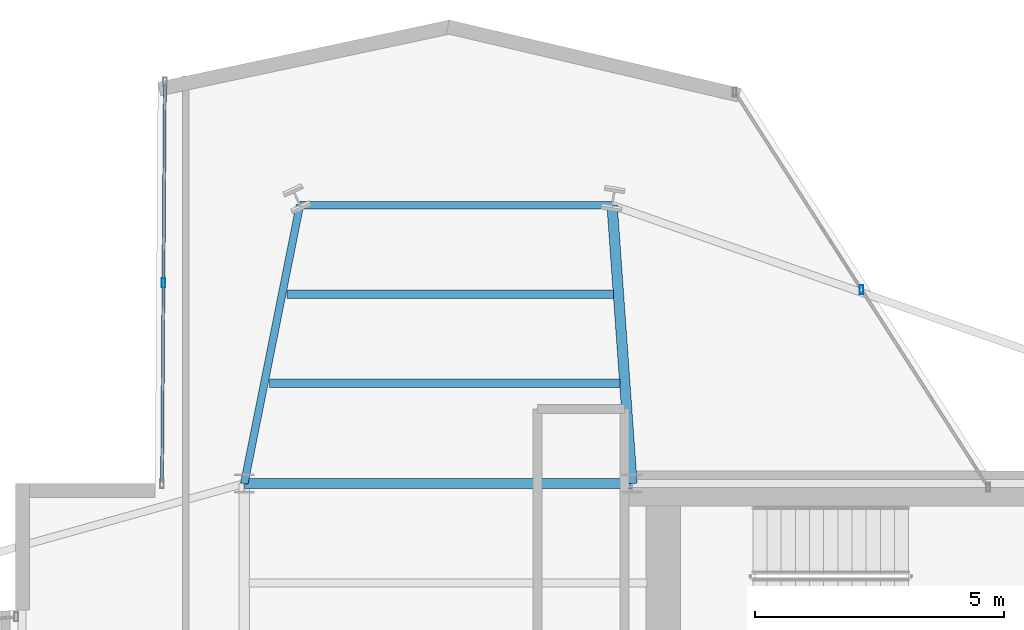
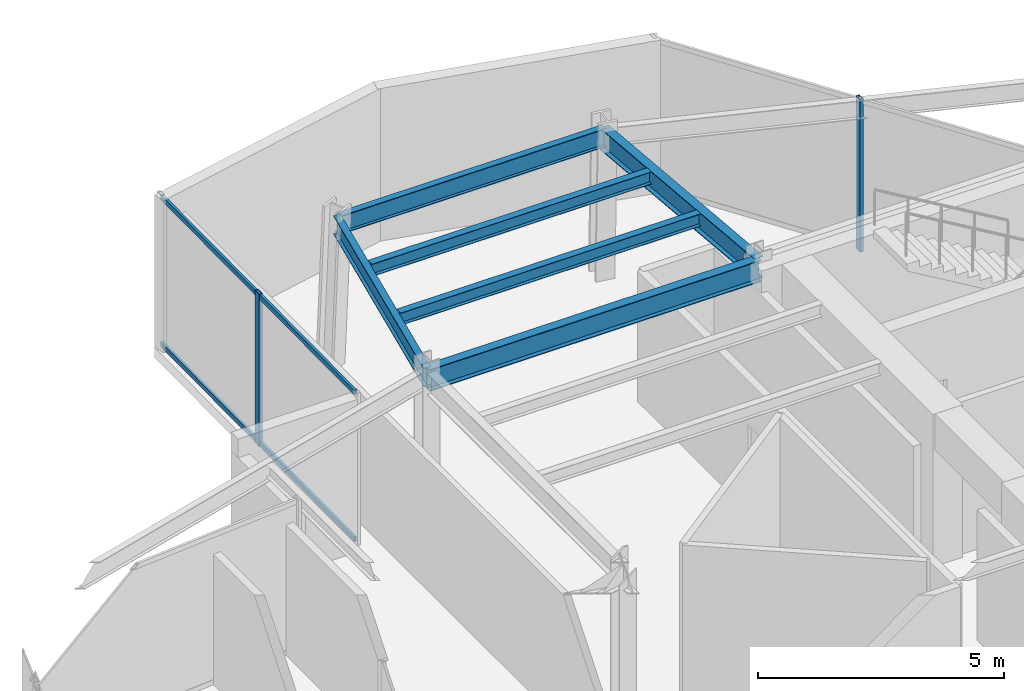
# One storey, part 12 of 23: 6 beams, 4 members, 2 elements without a shape of their own.
"""IFC4 building model written with IfcOpenShell, lengths in metres."""

from ifc_helpers import new_model, si_unit, direction, frame, origin, origin_2d, place, context, subcontext, project, spatial, hollow_rectangle, i_section, extrude, material, layer, layer_set, material_profile, profile_set, type_object, element, aggregate, save


model = new_model("IFC4")

# Units and contexts
model_context = context("Model", 3, precision=1e-05, world=origin(), true_north=direction((0.0, 1.0)))
body_context = subcontext(model_context, "Body", "Model", "MODEL_VIEW")
ifc_project = project(units=[si_unit("LENGTHUNIT", "METRE"), si_unit("AREAUNIT", "SQUARE_METRE"), si_unit("VOLUMEUNIT", "CUBIC_METRE"), si_unit("PLANEANGLEUNIT", "RADIAN"), si_unit("MASSUNIT", "GRAM", prefix="KILO")], contexts=[model_context])

# Site, building, storey
site_placement = place(None, origin())
site = spatial("IfcSite", under=ifc_project, at=site_placement, CompositionType="ELEMENT")
building_placement = place(site_placement, origin())
building = spatial("IfcBuilding", under=site, at=building_placement, Name="Veymaron Broadcast Tower", CompositionType="ELEMENT")
storey_placement = place(building_placement, frame((0.0, 0.0, 199.949951171875)))
storey = spatial("IfcBuildingStorey", under=building, at=storey_placement, Name="L46", CompositionType="ELEMENT", Elevation=199.949951171875)

# Beams
ifc_material_1 = material(Name="Structural steel ASTM A992 Gr 50", Category="steel")
ifc_material_profile_1 = material_profile(ifc_material_1, i_section(OverallWidth=0.2099609375, OverallDepth=0.537109375, WebThickness=0.010986328125, FlangeThickness=0.017333984375, at=origin_2d()), Name="W530X101")
ifc_profile_set_1 = profile_set([ifc_material_profile_1], Name="Structural steel ASTM A992 Gr 50")
beam_type_1 = type_object("IfcBeamType", Name="BM-FG3", PredefinedType="BEAM", material=ifc_profile_set_1)
beam_1_placement = place(storey_placement, frame((31.199951171875, 32.0, 3.521484375), z_axis=(1.0, 0.0, 0.0), x_axis=(0.0, 1.0, 0.0)))
element("IfcBeam", 1, at=beam_1_placement, inside=storey, type_object=beam_type_1, Name="L46 primary structural floor girder", PredefinedType="BEAM", context=body_context, shape_type="SweptSolid", body=[
    extrude(i_section(OverallWidth=0.2099609375, OverallDepth=0.537109375, WebThickness=0.010986328125, FlangeThickness=0.017333984375, at=origin_2d()), origin(), (0.0, 0.0, 1.0), 7.800048828125),
])
beam_2_placement = place(storey_placement, frame((39.0, 32.0, 3.521484375), z_axis=(-0.071228508128, 0.997460024076, 0.0), x_axis=(-0.997460024076, -0.071228508128, 0.0)))
element("IfcBeam", 2, at=beam_2_placement, inside=storey, type_object=beam_type_1, Name="L46 primary structural floor girder", PredefinedType="BEAM", context=body_context, shape_type="SweptSolid", body=[
    extrude(i_section(OverallWidth=0.2099609375, OverallDepth=0.537109375, WebThickness=0.010986328125, FlangeThickness=0.017333984375, at=origin_2d()), origin(), (0.0, 0.0, 1.0), 5.6142578125),
])
ifc_material_profile_2 = material_profile(ifc_material_1, i_section(OverallWidth=0.1650390625, OverallDepth=0.31005859375, WebThickness=0.005859375, FlangeThickness=0.009765625, at=origin_2d()), Name="W310X39")
ifc_profile_set_2 = profile_set([ifc_material_profile_2], Name="Structural steel ASTM A992 Gr 50")
beam_type_2 = type_object("IfcBeamType", Name="BM-JS3", PredefinedType="JOIST", material=ifc_profile_set_2)
beam_3_placement = place(storey_placement, frame((31.703125, 34.01611328125, 3.635009765625), z_axis=(1.0, 0.0, 0.0), x_axis=(0.0, 1.0, 0.0)))
element("IfcBeam", 3, at=beam_3_placement, inside=storey, type_object=beam_type_2, Name="L46 Arm-B secondary joist 1", PredefinedType="JOIST", context=body_context, shape_type="SweptSolid", body=[
    extrude(i_section(OverallWidth=0.1650390625, OverallDepth=0.31005859375, WebThickness=0.005859375, FlangeThickness=0.009765625, at=origin_2d()), origin(), (0.0, 0.0, 1.0), 7.052978515625),
])
beam_4_placement = place(storey_placement, frame((32.0615234375, 35.80810546875, 3.635009765625), z_axis=(1.0, 0.0, 0.0), x_axis=(0.0, 1.0, 0.0)))
element("IfcBeam", 4, at=beam_4_placement, inside=storey, type_object=beam_type_2, Name="L46 Arm-B secondary joist 2", PredefinedType="JOIST", context=body_context, shape_type="SweptSolid", body=[
    extrude(i_section(OverallWidth=0.1650390625, OverallDepth=0.31005859375, WebThickness=0.005859375, FlangeThickness=0.009765625, at=origin_2d()), origin(), (0.0, 0.0, 1.0), 6.56640625),
])
ifc_material_profile_3 = material_profile(ifc_material_1, i_section(OverallWidth=0.154052734375, OverallDepth=0.458984375, WebThickness=0.009033203125, FlangeThickness=0.015380859375, at=origin_2d()), Name="W460X68")
ifc_profile_set_3 = profile_set([ifc_material_profile_3], Name="Structural steel ASTM A992 Gr 50")
beam_type_3 = type_object("IfcBeamType", Name="BM-SP2", PredefinedType="SPANDREL", material=ifc_profile_set_3)
beam_5_placement = place(storey_placement, frame((31.199951171875, 32.0, 3.560546875), z_axis=(0.196132577048, 0.980577387166, 0.0), x_axis=(-0.980577387166, 0.196132577048, 0.0)))
element("IfcBeam", 5, at=beam_5_placement, inside=storey, type_object=beam_type_3, Name="L46 primary structural floor girder", PredefinedType="SPANDREL", context=body_context, shape_type="SweptSolid", body=[
    extrude(i_section(OverallWidth=0.154052734375, OverallDepth=0.458984375, WebThickness=0.009033203125, FlangeThickness=0.015380859375, at=origin_2d()), origin(), (0.0, 0.0, 1.0), 5.7109375),
])
beam_6_placement = place(storey_placement, frame((32.320068359375, 37.60009765625, 3.560546875), z_axis=(1.0, 0.0, 0.0), x_axis=(0.0, 1.0, 0.0)))
element("IfcBeam", 6, at=beam_6_placement, inside=storey, type_object=beam_type_3, Name="L46 primary structural floor girder", PredefinedType="SPANDREL", context=body_context, shape_type="SweptSolid", body=[
    extrude(i_section(OverallWidth=0.154052734375, OverallDepth=0.458984375, WebThickness=0.009033203125, FlangeThickness=0.015380859375, at=origin_2d()), origin(), (0.0, 0.0, 1.0), 6.280029296875),
])

# Curtain wall, member
ifc_material_2 = material(Name="Anodised aluminium AA 6063-T6 and laminated low-E dark glass", Category="aluminium")
ifc_layer = layer(ifc_material_2, 0.179931640625)
ifc_layer_set = layer_set([ifc_layer], Name="Anodised aluminium AA 6063-T6 and laminated low-E dark glass")
curtain_wall_type = type_object("IfcCurtainWallType", Name="CW-SYS-05", PredefinedType="NOTDEFINED", material=ifc_layer_set)
curtain_wall_1_placement = place(storey_placement, origin())
curtain_wall_1 = element("IfcCurtainWall", 7, at=curtain_wall_1_placement, inside=storey, type_object=curtain_wall_type, Name="L46 dark-glass curtain wall CW-L46-E5-1", PredefinedType="NOTDEFINED")
ifc_material_3 = material(Name="Anodised aluminium AA 6063-T6", Category="aluminium")
ifc_material_profile_4 = material_profile(ifc_material_3, hollow_rectangle(XDim=0.074951171875, YDim=0.179931640625, WallThickness=0.0048828125, at=origin_2d()), Name="AL180X75X5")
ifc_profile_set_4 = profile_set([ifc_material_profile_4], Name="Anodised aluminium AA 6063-T6")
member_type_1 = type_object("IfcMemberType", Name="CW-MUL-02", PredefinedType="MULLION", material=ifc_profile_set_4)
member_1_placement = place(storey_placement, frame((43.618896484375, 35.8994140625, 0.0), z_axis=(0.0, 0.0, 1.0), x_axis=(1.0, 0.0, 0.0)))
member_1 = element("IfcMember", 8, at=member_1_placement, type_object=member_type_1, Name="CW-L46-E5-1 mullion 1", PredefinedType="MULLION", context=body_context, shape_type="SweptSolid", body=[
    extrude(hollow_rectangle(XDim=0.074951171875, YDim=0.179931640625, WallThickness=0.0048828125, at=origin_2d()), origin(), (0.0, 0.0, 1.0), 3.7900390625),
])
aggregate(curtain_wall_1, [member_1])

# Curtain wall, members
curtain_wall_2_placement = place(storey_placement, origin())
curtain_wall_2 = element("IfcCurtainWall", 9, at=curtain_wall_2_placement, inside=storey, type_object=curtain_wall_type, Name="L46 dark-glass curtain wall CW-L46-E8-1", PredefinedType="NOTDEFINED")
member_2_placement = place(storey_placement, frame((29.574462890625, 36.03662109375, 0.0), z_axis=(0.0, 0.0, 1.0), x_axis=(1.0, 0.0, 0.0)))
member_2 = element("IfcMember", 10, at=member_2_placement, type_object=member_type_1, Name="CW-L46-E8-1 mullion 1", PredefinedType="MULLION", context=body_context, shape_type="SweptSolid", body=[
    extrude(hollow_rectangle(XDim=0.074951171875, YDim=0.179931640625, WallThickness=0.0048828125, at=origin_2d()), origin(), (0.0, 0.0, 1.0), 3.7900390625),
])
ifc_material_profile_5 = material_profile(ifc_material_3, hollow_rectangle(XDim=0.06005859375, YDim=0.1201171875, WallThickness=0.00390625, at=origin_2d()), Name="AL120X60X4")
ifc_profile_set_5 = profile_set([ifc_material_profile_5], Name="Anodised aluminium AA 6063-T6")
member_type_2 = type_object("IfcMemberType", Name="CW-TRN-02", PredefinedType="USERDEFINED", material=ifc_profile_set_5)
member_3_placement = place(storey_placement, frame((29.602783203125, 40.02392578125, 0.070068359375), z_axis=(-0.007102224053, -0.999974778889, 0.0), x_axis=(0.999974778889, -0.007102224053, 0.0)))
member_3 = element("IfcMember", 11, at=member_3_placement, type_object=member_type_2, Name="CW-L46-E8-1 transom B", ObjectType="TRANSOM", PredefinedType="USERDEFINED", context=body_context, shape_type="SweptSolid", body=[
    extrude(hollow_rectangle(XDim=0.06005859375, YDim=0.1201171875, WallThickness=0.00390625, at=origin_2d()), origin(), (0.0, 0.0, 1.0), 7.97509765625),
])
member_4_placement = place(storey_placement, frame((29.602783203125, 40.02392578125, 3.719970703125), z_axis=(-0.007102224053, -0.999974778889, 0.0), x_axis=(0.999974778889, -0.007102224053, 0.0)))
member_4 = element("IfcMember", 12, at=member_4_placement, type_object=member_type_2, Name="CW-L46-E8-1 transom T", ObjectType="TRANSOM", PredefinedType="USERDEFINED", context=body_context, shape_type="SweptSolid", body=[
    extrude(hollow_rectangle(XDim=0.06005859375, YDim=0.1201171875, WallThickness=0.00390625, at=origin_2d()), origin(), (0.0, 0.0, 1.0), 7.97509765625),
])
aggregate(curtain_wall_2, [member_2, member_3, member_4])

save(model, "model.ifc")
